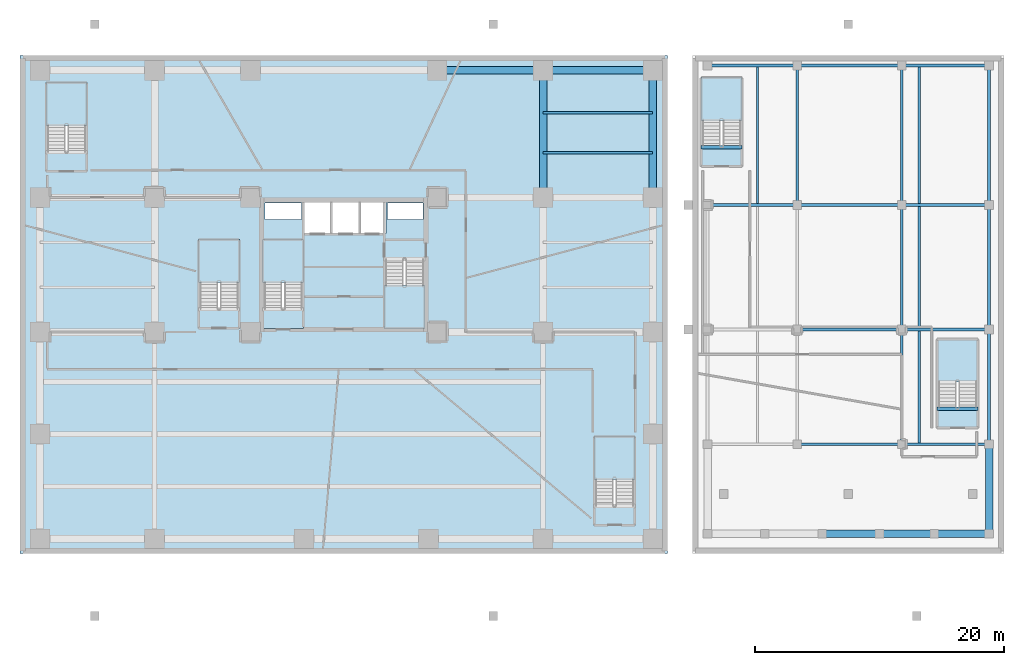
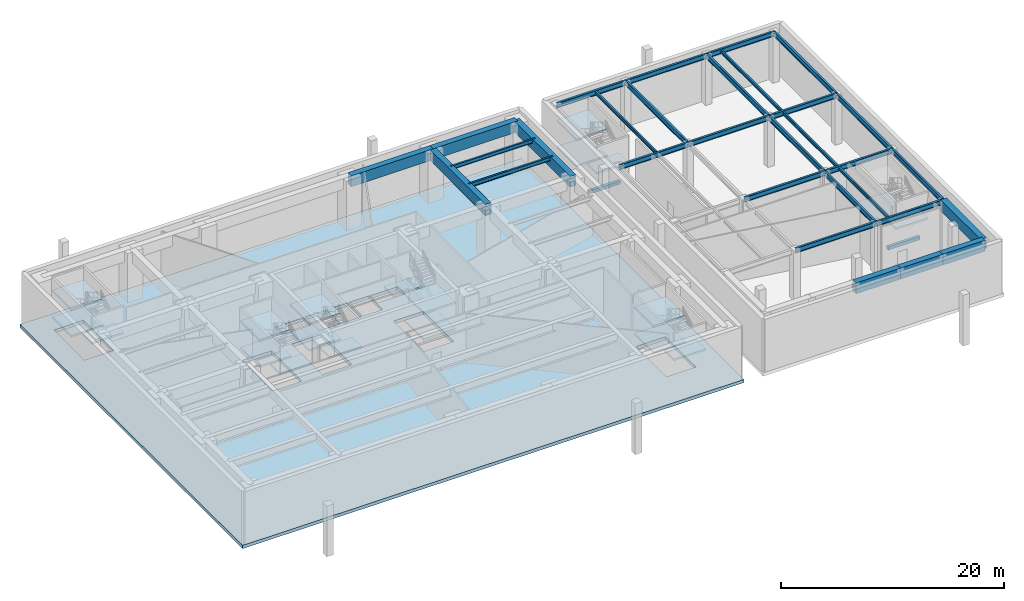
# One storey, part 2 of 12: 33 beams, 21 slabs, 7 elements without a shape of their own.
"""IFC4 building model written with IfcOpenShell, lengths in metres."""

from ifc_helpers import new_model, si_unit, direction, frame, origin, origin_2d, place, context, subcontext, project, spatial, polyline, rectangle, i_section, outline, extrude, material, layer, layer_set, material_profile, profile_set, type_object, element, aggregate, save


model = new_model("IFC4")

# Units and contexts
model_context = context("Model", 3, precision=1e-05, world=origin(), true_north=direction((0.0, 1.0)))
body_context = subcontext(model_context, "Body", "Model", "MODEL_VIEW")
ifc_project = project(units=[si_unit("LENGTHUNIT", "METRE"), si_unit("AREAUNIT", "SQUARE_METRE"), si_unit("VOLUMEUNIT", "CUBIC_METRE"), si_unit("PLANEANGLEUNIT", "RADIAN"), si_unit("MASSUNIT", "GRAM", prefix="KILO")], contexts=[model_context])

# Site, building, storey
site_placement = place(None, origin())
site = spatial("IfcSite", under=ifc_project, at=site_placement, CompositionType="ELEMENT")
building_placement = place(site_placement, origin())
building = spatial("IfcBuilding", under=site, at=building_placement, Name="Talar Marvaseh", CompositionType="ELEMENT")
storey_placement = place(building_placement, frame((0.0, 0.0, -5.800048828125)))
storey = spatial("IfcBuildingStorey", under=building, at=storey_placement, Name="B01", CompositionType="ELEMENT", Elevation=-5.800048828125)

# Beams
ifc_material_1 = material(Name="Concrete C40/50", Category="concrete")
ifc_material_profile_1 = material_profile(ifc_material_1, rectangle(XDim=0.300048828125, YDim=0.360107421875, at=origin_2d()), Name="RC300x360")
ifc_profile_set_1 = profile_set([ifc_material_profile_1], Name="Concrete C40/50")
beam_type_1 = type_object("IfcBeamType", Name="Concrete Stair Landing Trimmer Beam RC300x360", PredefinedType="SPANDREL", material=ifc_profile_set_1)
beam_1_placement = place(storey_placement, frame((57.97998046875, 40.6298828125, -0.179931640625), z_axis=(-1.0, 0.0, 0.0), x_axis=(0.0, -1.0, 0.0)))
element("IfcBeam", 1, at=beam_1_placement, inside=storey, type_object=beam_type_1, Name="B01 MH-ST1 Stair Nosing Trimmer Beam", PredefinedType="SPANDREL", context=body_context, shape_type="SweptSolid", body=[
    extrude(rectangle(XDim=0.300048828125, YDim=0.360107421875, at=origin_2d()), origin(), (0.0, 0.0, 1.0), 3.300048828125),
])
beam_2_placement = place(storey_placement, frame((76.919921875, 19.6298828125, -0.179931640625), z_axis=(-1.0, 0.0, 0.0), x_axis=(0.0, -1.0, 0.0)))
element("IfcBeam", 2, at=beam_2_placement, inside=storey, type_object=beam_type_1, Name="B01 MH-ST2 Stair Nosing Trimmer Beam", PredefinedType="SPANDREL", context=body_context, shape_type="SweptSolid", body=[
    extrude(rectangle(XDim=0.300048828125, YDim=0.360107421875, at=origin_2d()), origin(), (0.0, 0.0, 1.0), 3.2998046875),
])
ifc_material_2 = material(Name="Steel S355", Category="steel")
ifc_material_profile_2 = material_profile(ifc_material_2, i_section(OverallWidth=0.2119140625, OverallDepth=0.5439453125, WebThickness=0.01318359375, FlangeThickness=0.021240234375, at=origin_2d()), Name="W530x123")
ifc_profile_set_2 = profile_set([ifc_material_profile_2], Name="Steel S355")
beam_type_2 = type_object("IfcBeamType", Name="Market Hall Primary Girder W530x123", PredefinedType="BEAM", material=ifc_profile_set_2)
beam_3_placement = place(storey_placement, frame((62.39990234375, 16.800048828125, 5.177978515625), z_axis=(1.0, 0.0, 0.0), x_axis=(0.0, 1.0, 0.0)))
element("IfcBeam", 3, at=beam_3_placement, inside=storey, type_object=beam_type_2, Name="B01 Market Hall Primary Girder W530x123", PredefinedType="BEAM", context=body_context, shape_type="SweptSolid", body=[
    extrude(i_section(OverallWidth=0.2119140625, OverallDepth=0.5439453125, WebThickness=0.01318359375, FlangeThickness=0.021240234375, at=origin_2d()), origin(), (0.0, 0.0, 1.0), 8.400146484375),
])
beam_4_placement = place(storey_placement, frame((70.800048828125, 16.800048828125, 5.177978515625), z_axis=(1.0, 0.0, 0.0), x_axis=(0.0, 1.0, 0.0)))
element("IfcBeam", 4, at=beam_4_placement, inside=storey, type_object=beam_type_2, Name="B01 Market Hall Primary Girder W530x123", PredefinedType="BEAM", context=body_context, shape_type="SweptSolid", body=[
    extrude(i_section(OverallWidth=0.2119140625, OverallDepth=0.5439453125, WebThickness=0.01318359375, FlangeThickness=0.021240234375, at=origin_2d()), origin(), (0.0, 0.0, 1.0), 7.0),
])
beam_5_placement = place(storey_placement, frame((62.39990234375, 26.0, 5.177978515625), z_axis=(1.0, 0.0, 0.0), x_axis=(0.0, 1.0, 0.0)))
element("IfcBeam", 5, at=beam_5_placement, inside=storey, type_object=beam_type_2, Name="B01 Market Hall Primary Girder W530x123", PredefinedType="BEAM", context=body_context, shape_type="SweptSolid", body=[
    extrude(i_section(OverallWidth=0.2119140625, OverallDepth=0.5439453125, WebThickness=0.01318359375, FlangeThickness=0.021240234375, at=origin_2d()), origin(), (0.0, 0.0, 1.0), 8.400146484375),
])
beam_6_placement = place(storey_placement, frame((70.800048828125, 26.0, 5.177978515625), z_axis=(1.0, 0.0, 0.0), x_axis=(0.0, 1.0, 0.0)))
element("IfcBeam", 6, at=beam_6_placement, inside=storey, type_object=beam_type_2, Name="B01 Market Hall Primary Girder W530x123", PredefinedType="BEAM", context=body_context, shape_type="SweptSolid", body=[
    extrude(i_section(OverallWidth=0.2119140625, OverallDepth=0.5439453125, WebThickness=0.01318359375, FlangeThickness=0.021240234375, at=origin_2d()), origin(), (0.0, 0.0, 1.0), 7.0),
])
beam_7_placement = place(storey_placement, frame((55.199951171875, 36.0, 5.177978515625), z_axis=(1.0, 0.0, 0.0), x_axis=(0.0, 1.0, 0.0)))
element("IfcBeam", 7, at=beam_7_placement, inside=storey, type_object=beam_type_2, Name="B01 Market Hall Primary Girder W530x123", PredefinedType="BEAM", context=body_context, shape_type="SweptSolid", body=[
    extrude(i_section(OverallWidth=0.2119140625, OverallDepth=0.5439453125, WebThickness=0.01318359375, FlangeThickness=0.021240234375, at=origin_2d()), origin(), (0.0, 0.0, 1.0), 7.199951171875),
])
beam_8_placement = place(storey_placement, frame((62.39990234375, 36.0, 5.177978515625), z_axis=(1.0, 0.0, 0.0), x_axis=(0.0, 1.0, 0.0)))
element("IfcBeam", 8, at=beam_8_placement, inside=storey, type_object=beam_type_2, Name="B01 Market Hall Primary Girder W530x123", PredefinedType="BEAM", context=body_context, shape_type="SweptSolid", body=[
    extrude(i_section(OverallWidth=0.2119140625, OverallDepth=0.5439453125, WebThickness=0.01318359375, FlangeThickness=0.021240234375, at=origin_2d()), origin(), (0.0, 0.0, 1.0), 8.400146484375),
])
beam_9_placement = place(storey_placement, frame((70.800048828125, 36.0, 5.177978515625), z_axis=(1.0, 0.0, 0.0), x_axis=(0.0, 1.0, 0.0)))
element("IfcBeam", 9, at=beam_9_placement, inside=storey, type_object=beam_type_2, Name="B01 Market Hall Primary Girder W530x123", PredefinedType="BEAM", context=body_context, shape_type="SweptSolid", body=[
    extrude(i_section(OverallWidth=0.2119140625, OverallDepth=0.5439453125, WebThickness=0.01318359375, FlangeThickness=0.021240234375, at=origin_2d()), origin(), (0.0, 0.0, 1.0), 7.0),
])
beam_10_placement = place(storey_placement, frame((55.199951171875, 47.199951171875, 5.177978515625), z_axis=(1.0, 0.0, 0.0), x_axis=(0.0, 1.0, 0.0)))
element("IfcBeam", 10, at=beam_10_placement, inside=storey, type_object=beam_type_2, Name="B01 Market Hall Primary Girder W530x123", PredefinedType="BEAM", context=body_context, shape_type="SweptSolid", body=[
    extrude(i_section(OverallWidth=0.2119140625, OverallDepth=0.5439453125, WebThickness=0.01318359375, FlangeThickness=0.021240234375, at=origin_2d()), origin(), (0.0, 0.0, 1.0), 7.199951171875),
])
beam_11_placement = place(storey_placement, frame((62.39990234375, 47.199951171875, 5.177978515625), z_axis=(1.0, 0.0, 0.0), x_axis=(0.0, 1.0, 0.0)))
element("IfcBeam", 11, at=beam_11_placement, inside=storey, type_object=beam_type_2, Name="B01 Market Hall Primary Girder W530x123", PredefinedType="BEAM", context=body_context, shape_type="SweptSolid", body=[
    extrude(i_section(OverallWidth=0.2119140625, OverallDepth=0.5439453125, WebThickness=0.01318359375, FlangeThickness=0.021240234375, at=origin_2d()), origin(), (0.0, 0.0, 1.0), 8.400146484375),
])
beam_12_placement = place(storey_placement, frame((70.800048828125, 47.199951171875, 5.177978515625), z_axis=(1.0, 0.0, 0.0), x_axis=(0.0, 1.0, 0.0)))
element("IfcBeam", 12, at=beam_12_placement, inside=storey, type_object=beam_type_2, Name="B01 Market Hall Primary Girder W530x123", PredefinedType="BEAM", context=body_context, shape_type="SweptSolid", body=[
    extrude(i_section(OverallWidth=0.2119140625, OverallDepth=0.5439453125, WebThickness=0.01318359375, FlangeThickness=0.021240234375, at=origin_2d()), origin(), (0.0, 0.0, 1.0), 7.0),
])
beam_13_placement = place(storey_placement, frame((62.39990234375, 36.0, 5.177978515625), z_axis=(0.0, 1.0, 0.0), x_axis=(-1.0, 0.0, 0.0)))
element("IfcBeam", 13, at=beam_13_placement, inside=storey, type_object=beam_type_2, Name="B01 Market Hall Primary Girder W530x123", PredefinedType="BEAM", context=body_context, shape_type="SweptSolid", body=[
    extrude(i_section(OverallWidth=0.2119140625, OverallDepth=0.5439453125, WebThickness=0.01318359375, FlangeThickness=0.021240234375, at=origin_2d()), origin(), (0.0, 0.0, 1.0), 11.199951171875),
])
beam_14_placement = place(storey_placement, frame((70.800048828125, 16.800048828125, 5.177978515625), z_axis=(0.0, 1.0, 0.0), x_axis=(-1.0, 0.0, 0.0)))
element("IfcBeam", 14, at=beam_14_placement, inside=storey, type_object=beam_type_2, Name="B01 Market Hall Primary Girder W530x123", PredefinedType="BEAM", context=body_context, shape_type="SweptSolid", body=[
    extrude(i_section(OverallWidth=0.2119140625, OverallDepth=0.5439453125, WebThickness=0.01318359375, FlangeThickness=0.021240234375, at=origin_2d()), origin(), (0.0, 0.0, 1.0), 9.199951171875),
])
beam_15_placement = place(storey_placement, frame((70.800048828125, 26.0, 5.177978515625), z_axis=(0.0, 1.0, 0.0), x_axis=(-1.0, 0.0, 0.0)))
element("IfcBeam", 15, at=beam_15_placement, inside=storey, type_object=beam_type_2, Name="B01 Market Hall Primary Girder W530x123", PredefinedType="BEAM", context=body_context, shape_type="SweptSolid", body=[
    extrude(i_section(OverallWidth=0.2119140625, OverallDepth=0.5439453125, WebThickness=0.01318359375, FlangeThickness=0.021240234375, at=origin_2d()), origin(), (0.0, 0.0, 1.0), 10.0),
])
beam_16_placement = place(storey_placement, frame((70.800048828125, 36.0, 5.177978515625), z_axis=(0.0, 1.0, 0.0), x_axis=(-1.0, 0.0, 0.0)))
element("IfcBeam", 16, at=beam_16_placement, inside=storey, type_object=beam_type_2, Name="B01 Market Hall Primary Girder W530x123", PredefinedType="BEAM", context=body_context, shape_type="SweptSolid", body=[
    extrude(i_section(OverallWidth=0.2119140625, OverallDepth=0.5439453125, WebThickness=0.01318359375, FlangeThickness=0.021240234375, at=origin_2d()), origin(), (0.0, 0.0, 1.0), 11.199951171875),
])
beam_17_placement = place(storey_placement, frame((77.800048828125, 16.800048828125, 5.177978515625), z_axis=(0.0, 1.0, 0.0), x_axis=(-1.0, 0.0, 0.0)))
element("IfcBeam", 17, at=beam_17_placement, inside=storey, type_object=beam_type_2, Name="B01 Market Hall Primary Girder W530x123", PredefinedType="BEAM", context=body_context, shape_type="SweptSolid", body=[
    extrude(i_section(OverallWidth=0.2119140625, OverallDepth=0.5439453125, WebThickness=0.01318359375, FlangeThickness=0.021240234375, at=origin_2d()), origin(), (0.0, 0.0, 1.0), 9.199951171875),
])
beam_18_placement = place(storey_placement, frame((77.800048828125, 26.0, 5.177978515625), z_axis=(0.0, 1.0, 0.0), x_axis=(-1.0, 0.0, 0.0)))
element("IfcBeam", 18, at=beam_18_placement, inside=storey, type_object=beam_type_2, Name="B01 Market Hall Primary Girder W530x123", PredefinedType="BEAM", context=body_context, shape_type="SweptSolid", body=[
    extrude(i_section(OverallWidth=0.2119140625, OverallDepth=0.5439453125, WebThickness=0.01318359375, FlangeThickness=0.021240234375, at=origin_2d()), origin(), (0.0, 0.0, 1.0), 10.0),
])
beam_19_placement = place(storey_placement, frame((77.800048828125, 36.0, 5.177978515625), z_axis=(0.0, 1.0, 0.0), x_axis=(-1.0, 0.0, 0.0)))
element("IfcBeam", 19, at=beam_19_placement, inside=storey, type_object=beam_type_2, Name="B01 Market Hall Primary Girder W530x123", PredefinedType="BEAM", context=body_context, shape_type="SweptSolid", body=[
    extrude(i_section(OverallWidth=0.2119140625, OverallDepth=0.5439453125, WebThickness=0.01318359375, FlangeThickness=0.021240234375, at=origin_2d()), origin(), (0.0, 0.0, 1.0), 11.199951171875),
])
ifc_material_3 = material(Name="Concrete C50/60", Category="concrete")
ifc_material_profile_3 = material_profile(ifc_material_3, rectangle(XDim=0.60009765625, YDim=1.199951171875, at=origin_2d()), Name="RC600x1200")
ifc_profile_set_3 = profile_set([ifc_material_profile_3], Name="Concrete C50/60")
beam_type_3 = type_object("IfcBeamType", Name="Substructure Concrete Frame Beam RC600x1200", PredefinedType="BEAM", material=ifc_profile_set_3)
beam_20_placement = place(storey_placement, frame((33.5, 46.800048828125, 4.85009765625), z_axis=(1.0, 0.0, 0.0), x_axis=(0.0, 1.0, 0.0)))
element("IfcBeam", 20, at=beam_20_placement, inside=storey, type_object=beam_type_3, Name="B01 Substructure Concrete Frame Beam RC600x1200", PredefinedType="BEAM", context=body_context, shape_type="SweptSolid", body=[
    extrude(rectangle(XDim=0.60009765625, YDim=1.199951171875, at=origin_2d()), origin(), (0.0, 0.0, 1.0), 8.5),
])
beam_21_placement = place(storey_placement, frame((42.0, 46.800048828125, 4.85009765625), z_axis=(1.0, 0.0, 0.0), x_axis=(0.0, 1.0, 0.0)))
element("IfcBeam", 21, at=beam_21_placement, inside=storey, type_object=beam_type_3, Name="B01 Substructure Concrete Frame Beam RC600x1200", PredefinedType="BEAM", context=body_context, shape_type="SweptSolid", body=[
    extrude(rectangle(XDim=0.60009765625, YDim=1.199951171875, at=origin_2d()), origin(), (0.0, 0.0, 1.0), 8.800048828125),
])
for number, where, z_axis, x_axis, name in (
    (22, (42.0, 36.60009765625, 4.85009765625), (0.0, 1.0, 0.0), (-1.0, 0.0, 0.0), "B01 Substructure Concrete Frame Beam RC600x1200"),
    (23, (50.800048828125, 36.60009765625, 4.85009765625), (0.0, 1.0, 0.0), (-1.0, 0.0, 0.0), "B01 Substructure Concrete Frame Beam RC600x1200"),
):
    element("IfcBeam", number, at=place(storey_placement, frame(where, z_axis=z_axis, x_axis=x_axis)), inside=storey, type_object=beam_type_3, Name=name, PredefinedType="BEAM", context=body_context, shape_type="SweptSolid", body=[
        extrude(rectangle(XDim=0.60009765625, YDim=1.199951171875, at=origin_2d()), origin(), (0.0, 0.0, 1.0), 10.199951171875),
    ])
beam_22_placement = place(storey_placement, frame((64.39990234375, 9.60009765625, 4.85009765625), z_axis=(1.0, 0.0, 0.0), x_axis=(0.0, 1.0, 0.0)))
element("IfcBeam", 24, at=beam_22_placement, inside=storey, type_object=beam_type_3, Name="B01 Substructure Concrete Frame Beam RC600x1200", PredefinedType="BEAM", context=body_context, shape_type="SweptSolid", body=[
    extrude(rectangle(XDim=0.60009765625, YDim=1.199951171875, at=origin_2d()), origin(), (0.0, 0.0, 1.0), 4.60009765625),
])
beam_23_placement = place(storey_placement, frame((69.0, 9.60009765625, 4.85009765625), z_axis=(1.0, 0.0, 0.0), x_axis=(0.0, 1.0, 0.0)))
element("IfcBeam", 25, at=beam_23_placement, inside=storey, type_object=beam_type_3, Name="B01 Substructure Concrete Frame Beam RC600x1200", PredefinedType="BEAM", context=body_context, shape_type="SweptSolid", body=[
    extrude(rectangle(XDim=0.60009765625, YDim=1.199951171875, at=origin_2d()), origin(), (0.0, 0.0, 1.0), 4.39990234375),
])
beam_24_placement = place(storey_placement, frame((73.39990234375, 9.60009765625, 4.85009765625), z_axis=(1.0, 0.0, 0.0), x_axis=(0.0, 1.0, 0.0)))
element("IfcBeam", 26, at=beam_24_placement, inside=storey, type_object=beam_type_3, Name="B01 Substructure Concrete Frame Beam RC600x1200", PredefinedType="BEAM", context=body_context, shape_type="SweptSolid", body=[
    extrude(rectangle(XDim=0.60009765625, YDim=1.199951171875, at=origin_2d()), origin(), (0.0, 0.0, 1.0), 4.400146484375),
])
beam_25_placement = place(storey_placement, frame((77.800048828125, 9.60009765625, 4.85009765625), z_axis=(0.0, 1.0, 0.0), x_axis=(-1.0, 0.0, 0.0)))
element("IfcBeam", 27, at=beam_25_placement, inside=storey, type_object=beam_type_3, Name="B01 Substructure Concrete Frame Beam RC600x1200", PredefinedType="BEAM", context=body_context, shape_type="SweptSolid", body=[
    extrude(rectangle(XDim=0.60009765625, YDim=1.199951171875, at=origin_2d()), origin(), (0.0, 0.0, 1.0), 7.199951171875),
])
ifc_material_profile_4 = material_profile(ifc_material_2, i_section(OverallWidth=0.179931640625, OverallDepth=0.4130859375, WebThickness=0.009765625, FlangeThickness=0.01611328125, at=origin_2d()), Name="W410x75")
ifc_profile_set_4 = profile_set([ifc_material_profile_4], Name="Steel S355")
beam_type_4 = type_object("IfcBeamType", Name="Zone 1 Secondary Floor Joist W410x75", PredefinedType="JOIST", material=ifc_profile_set_4)
for number, where, z_axis, x_axis, name in (
    (28, (42.0, 40.199951171875, 5.24365234375), (1.0, 0.0, 0.0), (0.0, 1.0, 0.0), "B01 Zone 1 Secondary Floor Joist W410x75"),
    (29, (42.0, 43.39990234375, 5.24365234375), (1.0, 0.0, 0.0), (0.0, 1.0, 0.0), "B01 Zone 1 Secondary Floor Joist W410x75"),
):
    element("IfcBeam", number, at=place(storey_placement, frame(where, z_axis=z_axis, x_axis=x_axis)), inside=storey, type_object=beam_type_4, Name=name, PredefinedType="JOIST", context=body_context, shape_type="SweptSolid", body=[
        extrude(i_section(OverallWidth=0.179931640625, OverallDepth=0.4130859375, WebThickness=0.009765625, FlangeThickness=0.01611328125, at=origin_2d()), origin(), (0.0, 0.0, 1.0), 8.800048828125),
    ])
ifc_material_profile_5 = material_profile(ifc_material_2, i_section(OverallWidth=0.172119140625, OverallDepth=0.35791015625, WebThickness=0.0078125, FlangeThickness=0.01318359375, at=origin_2d()), Name="W360x57")
ifc_profile_set_5 = profile_set([ifc_material_profile_5], Name="Steel S355")
beam_type_5 = type_object("IfcBeamType", Name="Zone 2 Secondary Floor Joist W360x57", PredefinedType="JOIST", material=ifc_profile_set_5)
beam_26_placement = place(storey_placement, frame((59.199951171875, 36.10498046875, 5.27099609375), z_axis=(0.0, 1.0, 0.0), x_axis=(-1.0, 0.0, 0.0)))
element("IfcBeam", 30, at=beam_26_placement, inside=storey, type_object=beam_type_5, Name="B01 Zone 2 Secondary Floor Joist W360x57", PredefinedType="JOIST", context=body_context, shape_type="SweptSolid", body=[
    extrude(i_section(OverallWidth=0.172119140625, OverallDepth=0.35791015625, WebThickness=0.0078125, FlangeThickness=0.01318359375, at=origin_2d()), origin(), (0.0, 0.0, 1.0), 10.989990234375),
])
beam_27_placement = place(storey_placement, frame((72.199951171875, 16.905029296875, 5.27099609375), z_axis=(0.0, 1.0, 0.0), x_axis=(-1.0, 0.0, 0.0)))
element("IfcBeam", 31, at=beam_27_placement, inside=storey, type_object=beam_type_5, Name="B01 Zone 2 Secondary Floor Joist W360x57", PredefinedType="JOIST", context=body_context, shape_type="SweptSolid", body=[
    extrude(i_section(OverallWidth=0.172119140625, OverallDepth=0.35791015625, WebThickness=0.0078125, FlangeThickness=0.01318359375, at=origin_2d()), origin(), (0.0, 0.0, 1.0), 8.989990234375),
])
beam_28_placement = place(storey_placement, frame((72.199951171875, 26.10498046875, 5.27099609375), z_axis=(0.0, 1.0, 0.0), x_axis=(-1.0, 0.0, 0.0)))
element("IfcBeam", 32, at=beam_28_placement, inside=storey, type_object=beam_type_5, Name="B01 Zone 2 Secondary Floor Joist W360x57", PredefinedType="JOIST", context=body_context, shape_type="SweptSolid", body=[
    extrude(i_section(OverallWidth=0.172119140625, OverallDepth=0.35791015625, WebThickness=0.0078125, FlangeThickness=0.01318359375, at=origin_2d()), origin(), (0.0, 0.0, 1.0), 9.7900390625),
])
beam_29_placement = place(storey_placement, frame((72.199951171875, 36.10498046875, 5.27099609375), z_axis=(0.0, 1.0, 0.0), x_axis=(-1.0, 0.0, 0.0)))
element("IfcBeam", 33, at=beam_29_placement, inside=storey, type_object=beam_type_5, Name="B01 Zone 2 Secondary Floor Joist W360x57", PredefinedType="JOIST", context=body_context, shape_type="SweptSolid", body=[
    extrude(i_section(OverallWidth=0.172119140625, OverallDepth=0.35791015625, WebThickness=0.0078125, FlangeThickness=0.01318359375, at=origin_2d()), origin(), (0.0, 0.0, 1.0), 10.989990234375),
])

# Stair, slabs
stair_type = type_object("IfcStairType", Name="Reinforced Concrete Half-Turn Exit Stair Type A", PredefinedType="HALF_TURN_STAIR", material=ifc_material_1)
stair_1_placement = place(storey_placement, origin())
stair_1 = element("IfcStair", 34, at=stair_1_placement, inside=storey, type_object=stair_type, Name="B01 Tower West Core Exit Stair", PredefinedType="HALF_TURN_STAIR")
ifc_layer_1 = layer(ifc_material_1, 0.199951171875)
ifc_layer_set_1 = layer_set([ifc_layer_1], Name="Concrete C40/50")
slab_type_1 = type_object("IfcSlabType", Name="Reinforced Concrete Stair Half-Landing Slab 200", PredefinedType="LANDING", material=ifc_layer_set_1)
slab_1_placement = place(storey_placement, frame((0.0, 0.0, 1.25)))
slab_1 = element("IfcSlab", 35, at=slab_1_placement, type_object=slab_type_1, Name="ST-1 landing 1", PredefinedType="LANDING", context=body_context, shape_type="SweptSolid", body=[
    extrude(outline(polyline([(22.780029296875, 29.77001953125), (22.780029296875, 33.219970703125), (19.47998046875, 33.219970703125), (19.47998046875, 29.77001953125), (22.780029296875, 29.77001953125)])), origin(), (0.0, 0.0, 1.0), 0.199951171875),
])
slab_2_placement = place(storey_placement, frame((0.0, 0.0, 2.699951171875)))
slab_2 = element("IfcSlab", 36, at=slab_2_placement, type_object=slab_type_1, Name="ST-1 landing 2", PredefinedType="LANDING", context=body_context, shape_type="SweptSolid", body=[
    extrude(outline(polyline([(22.780029296875, 26.080078125), (22.780029296875, 27.77001953125), (19.47998046875, 27.77001953125), (19.47998046875, 26.080078125), (22.780029296875, 26.080078125)])), origin(), (0.0, 0.0, 1.0), 0.2001953125),
])
slab_3_placement = place(storey_placement, frame((0.0, 0.0, 4.150146484375)))
slab_3 = element("IfcSlab", 37, at=slab_3_placement, type_object=slab_type_1, Name="ST-1 landing 3", PredefinedType="LANDING", context=body_context, shape_type="SweptSolid", body=[
    extrude(outline(polyline([(22.780029296875, 29.77001953125), (22.780029296875, 33.219970703125), (19.47998046875, 33.219970703125), (19.47998046875, 29.77001953125), (22.780029296875, 29.77001953125)])), origin(), (0.0, 0.0, 1.0), 0.199951171875),
])
aggregate(stair_1, [slab_1, slab_2, slab_3])

stair_2_placement = place(storey_placement, origin())
stair_2 = element("IfcStair", 38, at=stair_2_placement, inside=storey, type_object=stair_type, Name="B01 Tower East Core Exit Stair", PredefinedType="HALF_TURN_STAIR")
slab_4_placement = place(storey_placement, frame((0.0, 0.0, 1.25)))
slab_4 = element("IfcSlab", 39, at=slab_4_placement, type_object=slab_type_1, Name="ST-2 landing 1", PredefinedType="LANDING", context=body_context, shape_type="SweptSolid", body=[
    extrude(outline(polyline([(29.219970703125, 29.530029296875), (29.219970703125, 26.080078125), (32.52001953125, 26.080078125), (32.52001953125, 29.530029296875), (29.219970703125, 29.530029296875)])), origin(), (0.0, 0.0, 1.0), 0.199951171875),
])
slab_5_placement = place(storey_placement, frame((0.0, 0.0, 2.699951171875)))
slab_5 = element("IfcSlab", 40, at=slab_5_placement, type_object=slab_type_1, Name="ST-2 landing 2", PredefinedType="LANDING", context=body_context, shape_type="SweptSolid", body=[
    extrude(outline(polyline([(29.219970703125, 33.219970703125), (29.219970703125, 31.530029296875), (32.52001953125, 31.530029296875), (32.52001953125, 33.219970703125), (29.219970703125, 33.219970703125)])), origin(), (0.0, 0.0, 1.0), 0.2001953125),
])
slab_6_placement = place(storey_placement, frame((0.0, 0.0, 4.150146484375)))
slab_6 = element("IfcSlab", 41, at=slab_6_placement, type_object=slab_type_1, Name="ST-2 landing 3", PredefinedType="LANDING", context=body_context, shape_type="SweptSolid", body=[
    extrude(outline(polyline([(29.219970703125, 29.530029296875), (29.219970703125, 26.080078125), (32.52001953125, 26.080078125), (32.52001953125, 29.530029296875), (29.219970703125, 29.530029296875)])), origin(), (0.0, 0.0, 1.0), 0.199951171875),
])
aggregate(stair_2, [slab_4, slab_5, slab_6])

stair_3_placement = place(storey_placement, origin())
stair_3 = element("IfcStair", 42, at=stair_3_placement, inside=storey, type_object=stair_type, Name="B01 Museum & Podium Auxiliary Exit Stair", PredefinedType="HALF_TURN_STAIR")
slab_7_placement = place(storey_placement, frame((0.0, 0.0, 1.25)))
slab_7 = element("IfcSlab", 43, at=slab_7_placement, type_object=slab_type_1, Name="ST-3 landing 1", PredefinedType="LANDING", context=body_context, shape_type="SweptSolid", body=[
    extrude(outline(polyline([(17.6201171875, 29.77001953125), (17.6201171875, 33.219970703125), (14.320068359375, 33.219970703125), (14.320068359375, 29.77001953125), (17.6201171875, 29.77001953125)])), origin(), (0.0, 0.0, 1.0), 0.199951171875),
])
slab_8_placement = place(storey_placement, frame((0.0, 0.0, 2.699951171875)))
slab_8 = element("IfcSlab", 44, at=slab_8_placement, type_object=slab_type_1, Name="ST-3 landing 2", PredefinedType="LANDING", context=body_context, shape_type="SweptSolid", body=[
    extrude(outline(polyline([(17.6201171875, 26.080078125), (17.6201171875, 27.77001953125), (14.320068359375, 27.77001953125), (14.320068359375, 26.080078125), (17.6201171875, 26.080078125)])), origin(), (0.0, 0.0, 1.0), 0.2001953125),
])
slab_9_placement = place(storey_placement, frame((0.0, 0.0, 4.150146484375)))
slab_9 = element("IfcSlab", 45, at=slab_9_placement, type_object=slab_type_1, Name="ST-3 landing 3", PredefinedType="LANDING", context=body_context, shape_type="SweptSolid", body=[
    extrude(outline(polyline([(17.6201171875, 29.77001953125), (17.6201171875, 33.219970703125), (14.320068359375, 33.219970703125), (14.320068359375, 29.77001953125), (17.6201171875, 29.77001953125)])), origin(), (0.0, 0.0, 1.0), 0.199951171875),
])
aggregate(stair_3, [slab_7, slab_8, slab_9])

stair_4_placement = place(storey_placement, origin())
stair_4 = element("IfcStair", 46, at=stair_4_placement, inside=storey, type_object=stair_type, Name="B01 Market Hall North-West Exit Stair", PredefinedType="HALF_TURN_STAIR")
slab_10_placement = place(storey_placement, frame((0.0, 0.0, 1.25)))
slab_10 = element("IfcSlab", 47, at=slab_10_placement, type_object=slab_type_1, Name="MH-ST1 landing 1", PredefinedType="LANDING", context=body_context, shape_type="SweptSolid", body=[
    extrude(outline(polyline([(57.97998046875, 42.77001953125), (57.97998046875, 46.219970703125), (54.679931640625, 46.219970703125), (54.679931640625, 42.77001953125), (57.97998046875, 42.77001953125)])), origin(), (0.0, 0.0, 1.0), 0.199951171875),
])
slab_11_placement = place(storey_placement, frame((0.0, 0.0, 2.699951171875)))
slab_11 = element("IfcSlab", 48, at=slab_11_placement, type_object=slab_type_1, Name="MH-ST1 landing 2", PredefinedType="LANDING", context=body_context, shape_type="SweptSolid", body=[
    extrude(outline(polyline([(57.97998046875, 39.080078125), (57.97998046875, 40.77001953125), (54.679931640625, 40.77001953125), (54.679931640625, 39.080078125), (57.97998046875, 39.080078125)])), origin(), (0.0, 0.0, 1.0), 0.2001953125),
])
slab_12_placement = place(storey_placement, frame((0.0, 0.0, 4.150146484375)))
slab_12 = element("IfcSlab", 49, at=slab_12_placement, type_object=slab_type_1, Name="MH-ST1 landing 3", PredefinedType="LANDING", context=body_context, shape_type="SweptSolid", body=[
    extrude(outline(polyline([(57.97998046875, 42.77001953125), (57.97998046875, 46.219970703125), (54.679931640625, 46.219970703125), (54.679931640625, 42.77001953125), (57.97998046875, 42.77001953125)])), origin(), (0.0, 0.0, 1.0), 0.199951171875),
])
aggregate(stair_4, [slab_10, slab_11, slab_12])

stair_5_placement = place(storey_placement, origin())
stair_5 = element("IfcStair", 50, at=stair_5_placement, inside=storey, type_object=stair_type, Name="B01 Market Hall South-East Exit Stair", PredefinedType="HALF_TURN_STAIR")
slab_13_placement = place(storey_placement, frame((0.0, 0.0, 1.25)))
slab_13 = element("IfcSlab", 51, at=slab_13_placement, type_object=slab_type_1, Name="MH-ST2 landing 1", PredefinedType="LANDING", context=body_context, shape_type="SweptSolid", body=[
    extrude(outline(polyline([(76.919921875, 21.77001953125), (76.919921875, 25.219970703125), (73.6201171875, 25.219970703125), (73.6201171875, 21.77001953125), (76.919921875, 21.77001953125)])), origin(), (0.0, 0.0, 1.0), 0.199951171875),
])
slab_14_placement = place(storey_placement, frame((0.0, 0.0, 2.699951171875)))
slab_14 = element("IfcSlab", 52, at=slab_14_placement, type_object=slab_type_1, Name="MH-ST2 landing 2", PredefinedType="LANDING", context=body_context, shape_type="SweptSolid", body=[
    extrude(outline(polyline([(76.919921875, 18.080078125), (76.919921875, 19.77001953125), (73.6201171875, 19.77001953125), (73.6201171875, 18.080078125), (76.919921875, 18.080078125)])), origin(), (0.0, 0.0, 1.0), 0.2001953125),
])
aggregate(stair_5, [slab_13, slab_14])

stair_6_placement = place(storey_placement, origin())
stair_6 = element("IfcStair", 53, at=stair_6_placement, inside=storey, type_object=stair_type, Name="B01 Metro Station North-West Exit Stair", PredefinedType="HALF_TURN_STAIR")
slab_15_placement = place(storey_placement, frame((0.0, 0.0, 1.25)))
slab_15 = element("IfcSlab", 54, at=slab_15_placement, type_object=slab_type_1, Name="STN-ST1 landing 1", PredefinedType="LANDING", context=body_context, shape_type="SweptSolid", body=[
    extrude(outline(polyline([(5.3798828125, 42.3701171875), (5.3798828125, 45.820068359375), (2.080078125, 45.820068359375), (2.080078125, 42.3701171875), (5.3798828125, 42.3701171875)])), origin(), (0.0, 0.0, 1.0), 0.199951171875),
])
slab_16_placement = place(storey_placement, frame((0.0, 0.0, 2.699951171875)))
slab_16 = element("IfcSlab", 55, at=slab_16_placement, type_object=slab_type_1, Name="STN-ST1 landing 2", PredefinedType="LANDING", context=body_context, shape_type="SweptSolid", body=[
    extrude(outline(polyline([(5.3798828125, 38.679931640625), (5.3798828125, 40.3701171875), (2.080078125, 40.3701171875), (2.080078125, 38.679931640625), (5.3798828125, 38.679931640625)])), origin(), (0.0, 0.0, 1.0), 0.2001953125),
])
slab_17_placement = place(storey_placement, frame((0.0, 0.0, 4.150146484375)))
slab_17 = element("IfcSlab", 56, at=slab_17_placement, type_object=slab_type_1, Name="STN-ST1 landing 3", PredefinedType="LANDING", context=body_context, shape_type="SweptSolid", body=[
    extrude(outline(polyline([(5.3798828125, 42.3701171875), (5.3798828125, 45.820068359375), (2.080078125, 45.820068359375), (2.080078125, 42.3701171875), (5.3798828125, 42.3701171875)])), origin(), (0.0, 0.0, 1.0), 0.199951171875),
])
aggregate(stair_6, [slab_15, slab_16, slab_17])

stair_7_placement = place(storey_placement, origin())
stair_7 = element("IfcStair", 57, at=stair_7_placement, inside=storey, type_object=stair_type, Name="B01 Metro Station South-East Exit Stair", PredefinedType="HALF_TURN_STAIR")
slab_18_placement = place(storey_placement, frame((0.0, 0.0, 1.25)))
slab_18 = element("IfcSlab", 58, at=slab_18_placement, type_object=slab_type_1, Name="STN-ST2 landing 1", PredefinedType="LANDING", context=body_context, shape_type="SweptSolid", body=[
    extrude(outline(polyline([(49.3798828125, 13.969970703125), (49.3798828125, 17.419921875), (46.080078125, 17.419921875), (46.080078125, 13.969970703125), (49.3798828125, 13.969970703125)])), origin(), (0.0, 0.0, 1.0), 0.199951171875),
])
slab_19_placement = place(storey_placement, frame((0.0, 0.0, 2.699951171875)))
slab_19 = element("IfcSlab", 59, at=slab_19_placement, type_object=slab_type_1, Name="STN-ST2 landing 2", PredefinedType="LANDING", context=body_context, shape_type="SweptSolid", body=[
    extrude(outline(polyline([(49.3798828125, 10.280029296875), (49.3798828125, 11.969970703125), (46.080078125, 11.969970703125), (46.080078125, 10.280029296875), (49.3798828125, 10.280029296875)])), origin(), (0.0, 0.0, 1.0), 0.2001953125),
])
slab_20_placement = place(storey_placement, frame((0.0, 0.0, 4.150146484375)))
slab_20 = element("IfcSlab", 60, at=slab_20_placement, type_object=slab_type_1, Name="STN-ST2 landing 3", PredefinedType="LANDING", context=body_context, shape_type="SweptSolid", body=[
    extrude(outline(polyline([(49.3798828125, 13.969970703125), (49.3798828125, 17.419921875), (46.080078125, 17.419921875), (46.080078125, 13.969970703125), (49.3798828125, 13.969970703125)])), origin(), (0.0, 0.0, 1.0), 0.199951171875),
])
aggregate(stair_7, [slab_18, slab_19, slab_20])

# Slab
ifc_layer_2 = layer(ifc_material_3, 0.360107421875)
ifc_layer_set_2 = layer_set([ifc_layer_2], Name="Concrete C50/60")
slab_type_2 = type_object("IfcSlabType", Name="Structural Suspended Floor Slab 360", PredefinedType="FLOOR", material=ifc_layer_set_2)
slab_21_placement = place(storey_placement, frame((0.0, 0.0, -0.35986328125)))
element("IfcSlab", 61, at=slab_21_placement, inside=storey, type_object=slab_type_2, Name="B01 Tower Station Substructure Slab", PredefinedType="FLOOR", context=body_context, shape_type="SweptSolid", body=[
    extrude(outline(polyline([(0.0, 8.0), (52.0, 8.0), (52.0, 48.0), (0.0, 48.0), (0.0, 8.0)]), holes=[polyline([(22.659912109375, 27.64990234375), (22.659912109375, 33.10009765625), (19.60009765625, 33.10009765625), (19.60009765625, 27.64990234375), (22.659912109375, 27.64990234375)]), polyline([(29.340087890625, 31.64990234375), (29.340087890625, 26.199951171875), (32.39990234375, 26.199951171875), (32.39990234375, 31.64990234375), (29.340087890625, 31.64990234375)]), polyline([(17.5, 27.64990234375), (17.5, 33.10009765625), (14.43994140625, 33.10009765625), (14.43994140625, 27.64990234375), (17.5, 27.64990234375)]), polyline([(5.260009765625, 40.25), (5.260009765625, 45.699951171875), (2.199951171875, 45.699951171875), (2.199951171875, 40.25), (5.260009765625, 40.25)]), polyline([(49.260009765625, 11.85009765625), (49.260009765625, 17.300048828125), (46.199951171875, 17.300048828125), (46.199951171875, 11.85009765625), (49.260009765625, 11.85009765625)]), polyline([(22.800048828125, 33.719970703125), (24.93994140625, 33.719970703125), (24.93994140625, 36.179931640625), (22.800048828125, 36.179931640625), (22.800048828125, 33.719970703125)]), polyline([(25.080078125, 33.719970703125), (27.219970703125, 33.719970703125), (27.219970703125, 36.179931640625), (25.080078125, 36.179931640625), (25.080078125, 33.719970703125)]), polyline([(27.360107421875, 33.719970703125), (29.39990234375, 33.719970703125), (29.39990234375, 36.179931640625), (27.360107421875, 36.179931640625), (27.360107421875, 33.719970703125)]), polyline([(19.659912109375, 34.840087890625), (22.60009765625, 34.840087890625), (22.60009765625, 36.139892578125), (19.659912109375, 36.139892578125), (19.659912109375, 34.840087890625)]), polyline([(29.52001953125, 34.840087890625), (32.340087890625, 34.840087890625), (32.340087890625, 36.139892578125), (29.52001953125, 36.139892578125), (29.52001953125, 34.840087890625)])]), origin(), (0.0, 0.0, 1.0), 0.35986328125),
])

save(model, "model.ifc")
